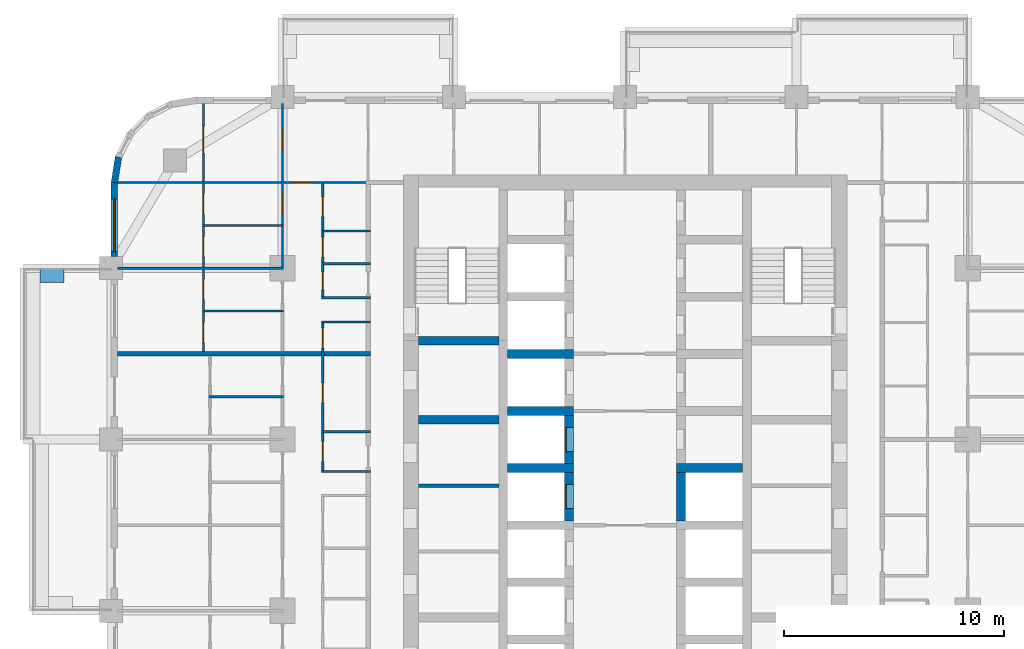
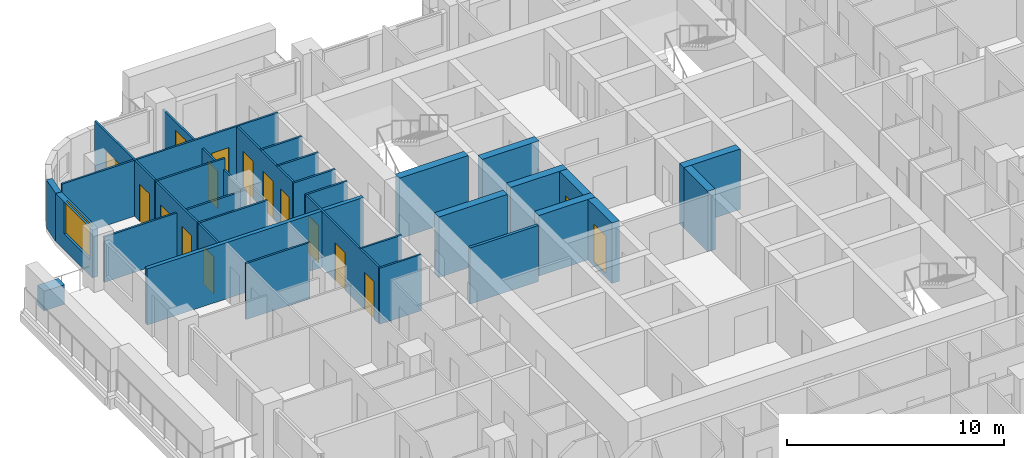
# One storey, part 10 of 18: 29 walls, 16 doors, 1 window, 17 openings.
"""IFC4 building model written with IfcOpenShell, lengths in metres."""

from ifc_helpers import new_model, si_unit, direction, frame, frame_2d, origin, place, context, subcontext, project, spatial, rectangle, extrude, material, layer, layer_set, type_object, element, fill, save


model = new_model("IFC4")

# Units and contexts
model_context = context("Model", 3, precision=1e-05, world=origin(), true_north=direction((0.0, 1.0)))
body_context = subcontext(model_context, "Body", "Model", "MODEL_VIEW")
ifc_project = project(units=[si_unit("LENGTHUNIT", "METRE"), si_unit("AREAUNIT", "SQUARE_METRE"), si_unit("VOLUMEUNIT", "CUBIC_METRE"), si_unit("PLANEANGLEUNIT", "RADIAN"), si_unit("MASSUNIT", "GRAM", prefix="KILO")], contexts=[model_context])

# Site, building, storey
site_placement = place(None, origin())
site = spatial("IfcSite", under=ifc_project, at=site_placement, CompositionType="ELEMENT")
building_placement = place(site_placement, origin())
building = spatial("IfcBuilding", under=site, at=building_placement, Name="Ludao Terraces", CompositionType="ELEMENT")
storey_placement = place(building_placement, frame((0.0, 0.0, 29.699951171875)))
storey = spatial("IfcBuildingStorey", under=building, at=storey_placement, Name="L07", CompositionType="ELEMENT", Elevation=29.699951171875)

# Wall
ifc_material_1 = material(Name="Concrete C40", Category="concrete")
ifc_layer_1 = layer(ifc_material_1, 0.60009765625)
ifc_layer_set_1 = layer_set([ifc_layer_1], Name="ENV Planter trough 600")
wall_type_1 = type_object("IfcWallType", Name="ENV Planter trough 600", PredefinedType="USERDEFINED", material=ifc_layer_set_1)
wall_1_placement = place(storey_placement, frame((58.35009765625, 80.25, 0.0), z_axis=(0.0, 0.0, 1.0), x_axis=(1.0, 0.0, 0.0)))
element("IfcWall", 1, at=wall_1_placement, inside=storey, type_object=wall_type_1, Name="PL-L07-W4-SB", ObjectType="PLANTER", PredefinedType="USERDEFINED", context=body_context, shape_type="SweptSolid", body=[
    extrude(rectangle(XDim=1.099853515625, YDim=0.60009765625, at=frame_2d((0.5498046875, 0.0))), origin(), (0.0, 0.0, 1.0), 1.10009765625),
])

# Wall, opening, window
ifc_material_2 = material(Name="Granite cladding", Category="masonry")
ifc_layer_2 = layer(ifc_material_2, 0.0400390625, Category="stone")
ifc_material_3 = material(Name="Mineral wool")
ifc_layer_3 = layer(ifc_material_3, 0.06005859375)
ifc_layer_4 = layer(ifc_material_1, 0.199951171875, Category="concrete")
ifc_layer_set_2 = layer_set([ifc_layer_2, ifc_layer_3, ifc_layer_4], Name="ENV Stone-clad wall 300")
wall_type_2 = type_object("IfcWallType", Name="ENV Stone-clad wall 300", PredefinedType="SOLIDWALL", material=ifc_layer_set_2)
wall_2_placement = place(storey_placement, frame((61.75, 81.125, 0.0), z_axis=(0.0, 0.0, 1.0), x_axis=(0.0, 1.0, 0.0)))
wall_2 = element("IfcWall", 2, at=wall_2_placement, inside=storey, type_object=wall_type_2, Name="EW-L07-W6", PredefinedType="SOLIDWALL", context=body_context, shape_type="SweptSolid", body=[
    extrude(rectangle(XDim=3.375, YDim=0.300048828125, at=frame_2d((1.6875, 0.0))), origin(), (0.0, 0.0, 1.0), 2.699951171875),
])
opening_1_placement = place(wall_2_placement, frame((0.22509765625, 0.0, 0.89990234375)))
opening_1 = element("IfcOpeningElement", 3, at=opening_1_placement, cuts=wall_2, Name="Opening W1", PredefinedType="OPENING", context=body_context, shape_type="SweptSolid", body=[
    extrude(rectangle(XDim=2.39990234375, YDim=1.800048828125, at=frame_2d((1.199951171875, 0.89990234375))), frame((0.0, 0.16015625, 0.0), z_axis=(0.0, -1.0, 0.0), x_axis=(1.0, 0.0, 0.0)), (0.0, 0.0, 1.0), 0.320068359375),
])
ifc_material_4 = material(Name="Clear glass in aluminium frame", Category="aluminium")
ifc_layer_5 = layer(ifc_material_4, 0.06005859375)
ifc_layer_set_3 = layer_set([ifc_layer_5], Name="ENV Window W1 2400x1800")
window_type = type_object("IfcWindowType", Name="ENV Window W1 2400x1800", PartitioningType="DOUBLE_PANEL_VERTICAL", PredefinedType="WINDOW", material=ifc_layer_set_3)
window_placement = place(opening_1_placement, origin())
window = element("IfcWindow", 4, at=window_placement, inside=storey, type_object=window_type, Name="W-L07-W6-1", OverallHeight=1.800048828125, OverallWidth=2.39990234375, PartitioningType="DOUBLE_PANEL_VERTICAL", PredefinedType="WINDOW", context=body_context, shape_type="SweptSolid", body=[
    extrude(rectangle(XDim=2.39990234375, YDim=1.800048828125, at=frame_2d((1.199951171875, 0.89990234375))), frame((0.0, 0.030029296875, 0.0), z_axis=(0.0, -1.0, 0.0), x_axis=(1.0, 0.0, 0.0)), (0.0, 0.0, 1.0), 0.06005859375),
])
fill(opening_1, window)

# Walls
wall_3_placement = place(storey_placement, frame((61.93359375, 85.65869140625, 0.0), z_axis=(0.0, 0.0, 1.0), x_axis=(-0.156496880861, -0.987678452879, 0.0)))
element("IfcWall", 5, at=wall_3_placement, inside=storey, type_object=wall_type_2, Name="EW-L07-NW5", PredefinedType="SOLIDWALL", context=body_context, shape_type="SweptSolid", body=[
    extrude(rectangle(XDim=1.173095703125, YDim=0.300048828125, at=frame_2d((0.58642578125, 0.0))), origin(), (0.0, 0.0, 1.0), 2.699951171875),
])
ifc_material_5 = material(Name="Fire-rated gypsum plasterboard", Category="gypsum")
ifc_layer_6 = layer(ifc_material_5, 0.012451171875, Category="gypsum")
ifc_layer_7 = layer(ifc_material_3, 0.10009765625, Name="insulation")
ifc_material_6 = material(Name="Steel Q235", Category="steel")
ifc_layer_8 = layer(ifc_material_6, 0.02490234375, Name="stud")
ifc_layer_9 = layer(ifc_material_5, 0.012451171875, Category="gypsum")
ifc_layer_set_4 = layer_set([ifc_layer_6, ifc_layer_7, ifc_layer_8, ifc_layer_9], Name="INT Core partition 150")
wall_type_3 = type_object("IfcWallType", Name="INT Core partition 150", PredefinedType="PARTITIONING", material=ifc_layer_set_4)
wall_4_placement = place(storey_placement, frame((75.60009765625, 70.699951171875, 0.0), z_axis=(0.0, 0.0, 1.0), x_axis=(1.0, 0.0, 0.0)))
element("IfcWall", 6, at=wall_4_placement, inside=storey, type_object=wall_type_3, Name="PW-L07-PW051", PredefinedType="PARTITIONING", context=body_context, shape_type="SweptSolid", body=[
    extrude(rectangle(XDim=3.64990234375, YDim=0.14990234375, at=frame_2d((1.824951171875, 0.0))), origin(), (0.0, 0.0, 1.0), 3.150146484375),
])
ifc_material_7 = material(Name="Gypsum plasterboard", Category="gypsum")
ifc_layer_10 = layer(ifc_material_7, 0.012451171875, Category="gypsum")
ifc_layer_11 = layer(ifc_material_3, 0.06005859375, Name="insulation")
ifc_layer_12 = layer(ifc_material_6, 0.014892578125, Name="stud")
ifc_layer_13 = layer(ifc_material_7, 0.012451171875, Category="gypsum")
ifc_layer_set_5 = layer_set([ifc_layer_10, ifc_layer_11, ifc_layer_12, ifc_layer_13], Name="INT Partition 100")
wall_type_4 = type_object("IfcWallType", Name="INT Partition 100", PredefinedType="PARTITIONING", material=ifc_layer_set_5)
for number, where, z_axis, x_axis, name in (
    (7, (71.18017578125, 71.35009765625, 0.0), (0.0, 0.0, 1.0), (1.0, 0.0, 0.0), "PW-L07-PW054"),
    (8, (71.18017578125, 73.14990234375, 0.0), (0.0, 0.0, 1.0), (1.0, 0.0, 0.0), "PW-L07-PW057"),
):
    element("IfcWall", number, at=place(storey_placement, frame(where, z_axis=z_axis, x_axis=x_axis)), inside=storey, type_object=wall_type_4, Name=name, PredefinedType="PARTITIONING", context=body_context, shape_type="SweptSolid", body=[
        extrude(rectangle(XDim=2.219970703125, YDim=0.10009765625, at=frame_2d((1.10986328125, 0.0))), origin(), (0.0, 0.0, 1.0), 3.150146484375),
    ])
wall_5_placement = place(storey_placement, frame((66.050048828125, 74.75, 0.0), z_axis=(0.0, 0.0, 1.0), x_axis=(1.0, 0.0, 0.0)))
element("IfcWall", 9, at=wall_5_placement, inside=storey, type_object=wall_type_4, Name="PW-L07-PW059", PredefinedType="PARTITIONING", context=body_context, shape_type="SweptSolid", body=[
    extrude(rectangle(XDim=3.400146484375, YDim=0.10009765625, at=frame_2d((1.7001953125, 0.0))), origin(), (0.0, 0.0, 1.0), 3.150146484375),
])
wall_6_placement = place(storey_placement, frame((71.18017578125, 78.14990234375, 0.0), z_axis=(0.0, 0.0, 1.0), x_axis=(1.0, 0.0, 0.0)))
element("IfcWall", 10, at=wall_6_placement, inside=storey, type_object=wall_type_4, Name="PW-L07-PW066", PredefinedType="PARTITIONING", context=body_context, shape_type="SweptSolid", body=[
    extrude(rectangle(XDim=2.219970703125, YDim=0.10009765625, at=frame_2d((1.10986328125, 0.0))), origin(), (0.0, 0.0, 1.0), 3.150146484375),
])
wall_7_placement = place(storey_placement, frame((65.75, 78.64990234375, 0.0), z_axis=(0.0, 0.0, 1.0), x_axis=(1.0, 0.0, 0.0)))
element("IfcWall", 11, at=wall_7_placement, inside=storey, type_object=wall_type_4, Name="PW-L07-PW067", PredefinedType="PARTITIONING", context=body_context, shape_type="SweptSolid", body=[
    extrude(rectangle(XDim=3.7001953125, YDim=0.10009765625, at=frame_2d((1.85009765625, 0.0))), origin(), (0.0, 0.0, 1.0), 3.150146484375),
])
wall_8_placement = place(storey_placement, frame((71.18017578125, 79.25, 0.0), z_axis=(0.0, 0.0, 1.0), x_axis=(1.0, 0.0, 0.0)))
element("IfcWall", 12, at=wall_8_placement, inside=storey, type_object=wall_type_4, Name="PW-L07-PW069", PredefinedType="PARTITIONING", context=body_context, shape_type="SweptSolid", body=[
    extrude(rectangle(XDim=2.219970703125, YDim=0.10009765625, at=frame_2d((1.10986328125, 0.0))), origin(), (0.0, 0.0, 1.0), 3.150146484375),
])
wall_9_placement = place(storey_placement, frame((61.900146484375, 80.60009765625, 0.0), z_axis=(0.0, 0.0, 1.0), x_axis=(1.0, 0.0, 0.0)))
element("IfcWall", 13, at=wall_9_placement, inside=storey, type_object=wall_type_4, Name="PW-L07-PW070", PredefinedType="PARTITIONING", context=body_context, shape_type="SweptSolid", body=[
    extrude(rectangle(XDim=7.550048828125, YDim=0.10009765625, at=frame_2d((3.77490234375, 0.0))), origin(), (0.0, 0.0, 1.0), 2.550048828125),
])
for number, where, z_axis, x_axis, name in (
    (14, (71.18017578125, 80.800048828125, 0.0), (0.0, 0.0, 1.0), (1.0, 0.0, 0.0), "PW-L07-PW072"),
    (15, (71.18017578125, 82.300048828125, 0.0), (0.0, 0.0, 1.0), (1.0, 0.0, 0.0), "PW-L07-PW074"),
):
    element("IfcWall", number, at=place(storey_placement, frame(where, z_axis=z_axis, x_axis=x_axis)), inside=storey, type_object=wall_type_4, Name=name, PredefinedType="PARTITIONING", context=body_context, shape_type="SweptSolid", body=[
        extrude(rectangle(XDim=2.219970703125, YDim=0.10009765625, at=frame_2d((1.10986328125, 0.0))), origin(), (0.0, 0.0, 1.0), 3.150146484375),
    ])
wall_10_placement = place(storey_placement, frame((65.75, 82.550048828125, 0.0), z_axis=(0.0, 0.0, 1.0), x_axis=(1.0, 0.0, 0.0)))
element("IfcWall", 16, at=wall_10_placement, inside=storey, type_object=wall_type_4, Name="PW-L07-PW075", PredefinedType="PARTITIONING", context=body_context, shape_type="SweptSolid", body=[
    extrude(rectangle(XDim=3.7001953125, YDim=0.10009765625, at=frame_2d((1.85009765625, 0.0))), origin(), (0.0, 0.0, 1.0), 3.150146484375),
])

# Wall, opening, door
wall_11_placement = place(storey_placement, frame((61.900146484375, 84.5, 0.0), z_axis=(0.0, 0.0, 1.0), x_axis=(1.0, 0.0, 0.0)))
wall_11 = element("IfcWall", 17, at=wall_11_placement, inside=storey, type_object=wall_type_4, Name="PW-L07-PW077", PredefinedType="PARTITIONING", context=body_context, shape_type="SweptSolid", body=[
    extrude(rectangle(XDim=11.5, YDim=0.10009765625, at=frame_2d((5.75, 0.0))), origin(), (0.0, 0.0, 1.0), 3.150146484375),
])
opening_2_placement = place(wall_11_placement, frame((7.965087890625, 0.0, 0.0)))
opening_2 = element("IfcOpeningElement", 18, at=opening_2_placement, cuts=wall_11, Name="Opening R02-155", PredefinedType="OPENING", context=body_context, shape_type="SweptSolid", body=[
    extrude(rectangle(XDim=0.89990234375, YDim=2.10009765625, at=frame_2d((0.449951171875, 1.050048828125))), frame((0.0, 0.06005859375, 0.0), z_axis=(0.0, -1.0, 0.0), x_axis=(1.0, 0.0, 0.0)), (0.0, 0.0, 1.0), 0.1201171875),
])
ifc_material_8 = material(Name="Timber door leaf", Category="wood")
door_type_1 = type_object("IfcDoorType", Name="INT Room door 900", OperationType="SINGLE_SWING_LEFT", PredefinedType="DOOR", material=ifc_material_8)
door_1_placement = place(opening_2_placement, origin())
door_1 = element("IfcDoor", 19, at=door_1_placement, inside=storey, type_object=door_type_1, Name="DOOR 155", OperationType="SINGLE_SWING_RIGHT", OverallHeight=2.10009765625, OverallWidth=0.89990234375, PredefinedType="DOOR", context=body_context, shape_type="SweptSolid", body=[
    extrude(rectangle(XDim=0.89990234375, YDim=2.10009765625, at=frame_2d((0.449951171875, 1.050048828125))), frame((0.0, 0.02490234375, 0.0), z_axis=(0.0, -1.0, 0.0), x_axis=(1.0, 0.0, 0.0)), (0.0, 0.0, 1.0), 0.050048828125),
])
fill(opening_2, door_1)

# Wall, openings, doors
wall_12_placement = place(storey_placement, frame((65.800048828125, 76.800048828125, 0.0), z_axis=(0.0, 0.0, 1.0), x_axis=(0.0, 1.0, 0.0)))
wall_12 = element("IfcWall", 20, at=wall_12_placement, inside=storey, type_object=wall_type_4, Name="PW-L07-PW081", PredefinedType="PARTITIONING", context=body_context, shape_type="SweptSolid", body=[
    extrude(rectangle(XDim=11.300048828125, YDim=0.10009765625, at=frame_2d((5.64990234375, 0.0))), origin(), (0.0, 0.0, 1.0), 3.150146484375),
])
opening_3_placement = place(wall_12_placement, frame((0.425048828125, 0.0, 0.0)))
opening_3 = element("IfcOpeningElement", 21, at=opening_3_placement, cuts=wall_12, Name="Opening R02-129", PredefinedType="OPENING", context=body_context, shape_type="SweptSolid", body=[
    extrude(rectangle(XDim=0.89990234375, YDim=2.10009765625, at=frame_2d((0.449951171875, 1.050048828125))), frame((0.0, 0.06005859375, 0.0), z_axis=(0.0, -1.0, 0.0), x_axis=(1.0, 0.0, 0.0)), (0.0, 0.0, 1.0), 0.1201171875),
])
opening_4_placement = place(wall_12_placement, frame((2.375, 0.0, 0.0)))
opening_4 = element("IfcOpeningElement", 22, at=opening_4_placement, cuts=wall_12, Name="Opening R02-137", PredefinedType="OPENING", context=body_context, shape_type="SweptSolid", body=[
    extrude(rectangle(XDim=0.89990234375, YDim=2.10009765625, at=frame_2d((0.449951171875, 1.050048828125))), frame((0.0, 0.06005859375, 0.0), z_axis=(0.0, -1.0, 0.0), x_axis=(1.0, 0.0, 0.0)), (0.0, 0.0, 1.0), 0.1201171875),
])
opening_5_placement = place(wall_12_placement, frame((4.324951171875, 0.0, 0.0)))
opening_5 = element("IfcOpeningElement", 23, at=opening_5_placement, cuts=wall_12, Name="Opening R02-145", PredefinedType="OPENING", context=body_context, shape_type="SweptSolid", body=[
    extrude(rectangle(XDim=0.89990234375, YDim=2.10009765625, at=frame_2d((0.449951171875, 1.050048828125))), frame((0.0, 0.06005859375, 0.0), z_axis=(0.0, -1.0, 0.0), x_axis=(1.0, 0.0, 0.0)), (0.0, 0.0, 1.0), 0.1201171875),
])
opening_6_placement = place(wall_12_placement, frame((6.27490234375, 0.0, 0.0)))
opening_6 = element("IfcOpeningElement", 24, at=opening_6_placement, cuts=wall_12, Name="Opening R02-152", PredefinedType="OPENING", context=body_context, shape_type="SweptSolid", body=[
    extrude(rectangle(XDim=0.89990234375, YDim=2.10009765625, at=frame_2d((0.449951171875, 1.050048828125))), frame((0.0, 0.06005859375, 0.0), z_axis=(0.0, -1.0, 0.0), x_axis=(1.0, 0.0, 0.0)), (0.0, 0.0, 1.0), 0.1201171875),
])
opening_7_placement = place(wall_12_placement, frame((9.050048828125, 0.0, 0.0)))
opening_7 = element("IfcOpeningElement", 25, at=opening_7_placement, cuts=wall_12, Name="Opening R02-157", PredefinedType="OPENING", context=body_context, shape_type="SweptSolid", body=[
    extrude(rectangle(XDim=1.199951171875, YDim=2.10009765625, at=frame_2d((0.60009765625, 1.050048828125))), frame((0.0, 0.06005859375, 0.0), z_axis=(0.0, -1.0, 0.0), x_axis=(1.0, 0.0, 0.0)), (0.0, 0.0, 1.0), 0.1201171875),
])
door_type_2 = type_object("IfcDoorType", Name="INT Bathroom door 900", OperationType="SINGLE_SWING_LEFT", PredefinedType="DOOR", material=ifc_material_8)
door_2_placement = place(opening_3_placement, origin())
door_2 = element("IfcDoor", 26, at=door_2_placement, inside=storey, type_object=door_type_2, Name="DOOR 129", OperationType="SINGLE_SWING_RIGHT", OverallHeight=2.10009765625, OverallWidth=0.89990234375, PredefinedType="DOOR", context=body_context, shape_type="SweptSolid", body=[
    extrude(rectangle(XDim=0.89990234375, YDim=2.10009765625, at=frame_2d((0.449951171875, 1.050048828125))), frame((0.0, 0.02490234375, 0.0), z_axis=(0.0, -1.0, 0.0), x_axis=(1.0, 0.0, 0.0)), (0.0, 0.0, 1.0), 0.050048828125),
])
fill(opening_3, door_2)
door_3_placement = place(opening_5_placement, origin())
door_3 = element("IfcDoor", 27, at=door_3_placement, inside=storey, type_object=door_type_2, Name="DOOR 145", OperationType="SINGLE_SWING_RIGHT", OverallHeight=2.10009765625, OverallWidth=0.89990234375, PredefinedType="DOOR", context=body_context, shape_type="SweptSolid", body=[
    extrude(rectangle(XDim=0.89990234375, YDim=2.10009765625, at=frame_2d((0.449951171875, 1.050048828125))), frame((0.0, 0.02490234375, 0.0), z_axis=(0.0, -1.0, 0.0), x_axis=(1.0, 0.0, 0.0)), (0.0, 0.0, 1.0), 0.050048828125),
])
fill(opening_5, door_3)
door_type_3 = type_object("IfcDoorType", Name="INT Double door 1200", OperationType="DOUBLE_DOOR_SINGLE_SWING", PredefinedType="DOOR", material=ifc_material_8)
door_4_placement = place(opening_7_placement, origin())
door_4 = element("IfcDoor", 28, at=door_4_placement, inside=storey, type_object=door_type_3, Name="DOOR 157", OperationType="DOUBLE_DOOR_SINGLE_SWING", OverallHeight=2.10009765625, OverallWidth=1.199951171875, PredefinedType="DOOR", context=body_context, shape_type="SweptSolid", body=[
    extrude(rectangle(XDim=1.199951171875, YDim=2.10009765625, at=frame_2d((0.60009765625, 1.050048828125))), frame((0.0, 0.02490234375, 0.0), z_axis=(0.0, -1.0, 0.0), x_axis=(1.0, 0.0, 0.0)), (0.0, 0.0, 1.0), 0.050048828125),
])
fill(opening_7, door_4)
door_5_placement = place(opening_4_placement, origin())
door_5 = element("IfcDoor", 29, at=door_5_placement, inside=storey, type_object=door_type_1, Name="DOOR 137", OperationType="SINGLE_SWING_RIGHT", OverallHeight=2.10009765625, OverallWidth=0.89990234375, PredefinedType="DOOR", context=body_context, shape_type="SweptSolid", body=[
    extrude(rectangle(XDim=0.89990234375, YDim=2.10009765625, at=frame_2d((0.449951171875, 1.050048828125))), frame((0.0, 0.02490234375, 0.0), z_axis=(0.0, -1.0, 0.0), x_axis=(1.0, 0.0, 0.0)), (0.0, 0.0, 1.0), 0.050048828125),
])
fill(opening_4, door_5)
door_6_placement = place(opening_6_placement, origin())
door_6 = element("IfcDoor", 30, at=door_6_placement, inside=storey, type_object=door_type_1, Name="DOOR 152", OperationType="SINGLE_SWING_RIGHT", OverallHeight=2.10009765625, OverallWidth=0.89990234375, PredefinedType="DOOR", context=body_context, shape_type="SweptSolid", body=[
    extrude(rectangle(XDim=0.89990234375, YDim=2.10009765625, at=frame_2d((0.449951171875, 1.050048828125))), frame((0.0, 0.02490234375, 0.0), z_axis=(0.0, -1.0, 0.0), x_axis=(1.0, 0.0, 0.0)), (0.0, 0.0, 1.0), 0.050048828125),
])
fill(opening_6, door_6)

wall_13_placement = place(storey_placement, frame((69.39990234375, 80.60009765625, 0.0), z_axis=(0.0, 0.0, 1.0), x_axis=(0.0, 1.0, 0.0)))
wall_13 = element("IfcWall", 31, at=wall_13_placement, inside=storey, type_object=wall_type_4, Name="PW-L07-PW083-3", PredefinedType="PARTITIONING", context=body_context, shape_type="SweptSolid", body=[
    extrude(rectangle(XDim=7.5, YDim=0.10009765625, at=frame_2d((3.75, 0.0))), origin(), (0.0, 0.0, 1.0), 2.550048828125),
])
opening_8_placement = place(wall_13_placement, frame((2.47509765625, 0.0, 0.0)))
opening_8 = element("IfcOpeningElement", 32, at=opening_8_placement, cuts=wall_13, Name="Opening R02-153", PredefinedType="OPENING", context=body_context, shape_type="SweptSolid", body=[
    extrude(rectangle(XDim=0.89990234375, YDim=2.10009765625, at=frame_2d((0.449951171875, 1.050048828125))), frame((0.0, 0.06005859375, 0.0), z_axis=(0.0, -1.0, 0.0), x_axis=(1.0, 0.0, 0.0)), (0.0, 0.0, 1.0), 0.1201171875),
])
opening_9_placement = place(wall_13_placement, frame((5.39990234375, 0.0, 0.0)))
opening_9 = element("IfcOpeningElement", 33, at=opening_9_placement, cuts=wall_13, Name="Opening R02-158", PredefinedType="OPENING", context=body_context, shape_type="SweptSolid", body=[
    extrude(rectangle(XDim=0.89990234375, YDim=2.10009765625, at=frame_2d((0.449951171875, 1.050048828125))), frame((0.0, 0.06005859375, 0.0), z_axis=(0.0, -1.0, 0.0), x_axis=(1.0, 0.0, 0.0)), (0.0, 0.0, 1.0), 0.1201171875),
])
door_7_placement = place(opening_8_placement, origin())
door_7 = element("IfcDoor", 34, at=door_7_placement, inside=storey, type_object=door_type_1, Name="DOOR 153", OperationType="SINGLE_SWING_LEFT", OverallHeight=2.10009765625, OverallWidth=0.89990234375, PredefinedType="DOOR", context=body_context, shape_type="SweptSolid", body=[
    extrude(rectangle(XDim=0.89990234375, YDim=2.10009765625, at=frame_2d((0.449951171875, 1.050048828125))), frame((0.0, 0.02490234375, 0.0), z_axis=(0.0, -1.0, 0.0), x_axis=(1.0, 0.0, 0.0)), (0.0, 0.0, 1.0), 0.050048828125),
])
fill(opening_8, door_7)
door_8_placement = place(opening_9_placement, origin())
door_8 = element("IfcDoor", 35, at=door_8_placement, inside=storey, type_object=door_type_1, Name="DOOR 158", OperationType="SINGLE_SWING_RIGHT", OverallHeight=2.10009765625, OverallWidth=0.89990234375, PredefinedType="DOOR", context=body_context, shape_type="SweptSolid", body=[
    extrude(rectangle(XDim=0.89990234375, YDim=2.10009765625, at=frame_2d((0.449951171875, 1.050048828125))), frame((0.0, 0.02490234375, 0.0), z_axis=(0.0, -1.0, 0.0), x_axis=(1.0, 0.0, 0.0)), (0.0, 0.0, 1.0), 0.050048828125),
])
fill(opening_9, door_8)

wall_14_placement = place(storey_placement, frame((71.22998046875, 71.400146484375, 0.0), z_axis=(0.0, 0.0, 1.0), x_axis=(0.0, 1.0, 0.0)))
wall_14 = element("IfcWall", 36, at=wall_14_placement, inside=storey, type_object=wall_type_4, Name="PW-L07-PW086", PredefinedType="PARTITIONING", context=body_context, shape_type="SweptSolid", body=[
    extrude(rectangle(XDim=6.699951171875, YDim=0.10009765625, at=frame_2d((3.35009765625, 0.0))), origin(), (0.0, 0.0, 1.0), 3.150146484375),
])
opening_10_placement = place(wall_14_placement, frame((0.39990234375, 0.0, 0.0)))
opening_10 = element("IfcOpeningElement", 37, at=opening_10_placement, cuts=wall_14, Name="Opening R02-110", PredefinedType="OPENING", context=body_context, shape_type="SweptSolid", body=[
    extrude(rectangle(XDim=0.89990234375, YDim=2.10009765625, at=frame_2d((0.449951171875, 1.050048828125))), frame((0.0, 0.06005859375, 0.0), z_axis=(0.0, -1.0, 0.0), x_axis=(1.0, 0.0, 0.0)), (0.0, 0.0, 1.0), 0.1201171875),
])
opening_11_placement = place(wall_14_placement, frame((3.074951171875, 0.0, 0.0)))
opening_11 = element("IfcOpeningElement", 38, at=opening_11_placement, cuts=wall_14, Name="Opening R02-117", PredefinedType="OPENING", context=body_context, shape_type="SweptSolid", body=[
    extrude(rectangle(XDim=0.89990234375, YDim=2.10009765625, at=frame_2d((0.449951171875, 1.050048828125))), frame((0.0, 0.06005859375, 0.0), z_axis=(0.0, -1.0, 0.0), x_axis=(1.0, 0.0, 0.0)), (0.0, 0.0, 1.0), 0.1201171875),
])
opening_12_placement = place(wall_14_placement, frame((5.574951171875, 0.0, 0.0)))
opening_12 = element("IfcOpeningElement", 39, at=opening_12_placement, cuts=wall_14, Name="Opening R02-128", PredefinedType="OPENING", context=body_context, shape_type="SweptSolid", body=[
    extrude(rectangle(XDim=0.89990234375, YDim=2.10009765625, at=frame_2d((0.449951171875, 1.050048828125))), frame((0.0, 0.06005859375, 0.0), z_axis=(0.0, -1.0, 0.0), x_axis=(1.0, 0.0, 0.0)), (0.0, 0.0, 1.0), 0.1201171875),
])
door_9_placement = place(opening_10_placement, origin())
door_9 = element("IfcDoor", 40, at=door_9_placement, inside=storey, type_object=door_type_2, Name="DOOR 110", OperationType="SINGLE_SWING_RIGHT", OverallHeight=2.10009765625, OverallWidth=0.89990234375, PredefinedType="DOOR", context=body_context, shape_type="SweptSolid", body=[
    extrude(rectangle(XDim=0.89990234375, YDim=2.10009765625, at=frame_2d((0.449951171875, 1.050048828125))), frame((0.0, 0.02490234375, 0.0), z_axis=(0.0, -1.0, 0.0), x_axis=(1.0, 0.0, 0.0)), (0.0, 0.0, 1.0), 0.050048828125),
])
fill(opening_10, door_9)
door_10_placement = place(opening_12_placement, origin())
door_10 = element("IfcDoor", 41, at=door_10_placement, inside=storey, type_object=door_type_2, Name="DOOR 128", OperationType="SINGLE_SWING_RIGHT", OverallHeight=2.10009765625, OverallWidth=0.89990234375, PredefinedType="DOOR", context=body_context, shape_type="SweptSolid", body=[
    extrude(rectangle(XDim=0.89990234375, YDim=2.10009765625, at=frame_2d((0.449951171875, 1.050048828125))), frame((0.0, 0.02490234375, 0.0), z_axis=(0.0, -1.0, 0.0), x_axis=(1.0, 0.0, 0.0)), (0.0, 0.0, 1.0), 0.050048828125),
])
fill(opening_12, door_10)
door_11_placement = place(opening_11_placement, origin())
door_11 = element("IfcDoor", 42, at=door_11_placement, inside=storey, type_object=door_type_1, Name="DOOR 117", OperationType="SINGLE_SWING_RIGHT", OverallHeight=2.10009765625, OverallWidth=0.89990234375, PredefinedType="DOOR", context=body_context, shape_type="SweptSolid", body=[
    extrude(rectangle(XDim=0.89990234375, YDim=2.10009765625, at=frame_2d((0.449951171875, 1.050048828125))), frame((0.0, 0.02490234375, 0.0), z_axis=(0.0, -1.0, 0.0), x_axis=(1.0, 0.0, 0.0)), (0.0, 0.0, 1.0), 0.050048828125),
])
fill(opening_11, door_11)

wall_15_placement = place(storey_placement, frame((71.22998046875, 79.300048828125, 0.0), z_axis=(0.0, 0.0, 1.0), x_axis=(0.0, 1.0, 0.0)))
wall_15 = element("IfcWall", 43, at=wall_15_placement, inside=storey, type_object=wall_type_4, Name="PW-L07-PW087", PredefinedType="PARTITIONING", context=body_context, shape_type="SweptSolid", body=[
    extrude(rectangle(XDim=5.150146484375, YDim=0.10009765625, at=frame_2d((2.5751953125, 0.0))), origin(), (0.0, 0.0, 1.0), 3.150146484375),
])
opening_13_placement = place(wall_15_placement, frame((0.324951171875, 0.0, 0.0)))
opening_13 = element("IfcOpeningElement", 44, at=opening_13_placement, cuts=wall_15, Name="Opening R02-141", PredefinedType="OPENING", context=body_context, shape_type="SweptSolid", body=[
    extrude(rectangle(XDim=0.800048828125, YDim=2.10009765625, at=frame_2d((0.39990234375, 1.050048828125))), frame((0.0, 0.06005859375, 0.0), z_axis=(0.0, -1.0, 0.0), x_axis=(1.0, 0.0, 0.0)), (0.0, 0.0, 1.0), 0.1201171875),
])
opening_14_placement = place(wall_15_placement, frame((1.800048828125, 0.0, 0.0)))
opening_14 = element("IfcOpeningElement", 45, at=opening_14_placement, cuts=wall_15, Name="Opening R02-144", PredefinedType="OPENING", context=body_context, shape_type="SweptSolid", body=[
    extrude(rectangle(XDim=0.89990234375, YDim=2.10009765625, at=frame_2d((0.449951171875, 1.050048828125))), frame((0.0, 0.06005859375, 0.0), z_axis=(0.0, -1.0, 0.0), x_axis=(1.0, 0.0, 0.0)), (0.0, 0.0, 1.0), 0.1201171875),
])
opening_15_placement = place(wall_15_placement, frame((3.64990234375, 0.0, 0.0)))
opening_15 = element("IfcOpeningElement", 46, at=opening_15_placement, cuts=wall_15, Name="Opening R02-150", PredefinedType="OPENING", context=body_context, shape_type="SweptSolid", body=[
    extrude(rectangle(XDim=0.89990234375, YDim=2.10009765625, at=frame_2d((0.449951171875, 1.050048828125))), frame((0.0, 0.06005859375, 0.0), z_axis=(0.0, -1.0, 0.0), x_axis=(1.0, 0.0, 0.0)), (0.0, 0.0, 1.0), 0.1201171875),
])
door_12_placement = place(opening_14_placement, origin())
door_12 = element("IfcDoor", 47, at=door_12_placement, inside=storey, type_object=door_type_2, Name="DOOR 144", OperationType="SINGLE_SWING_RIGHT", OverallHeight=2.10009765625, OverallWidth=0.89990234375, PredefinedType="DOOR", context=body_context, shape_type="SweptSolid", body=[
    extrude(rectangle(XDim=0.89990234375, YDim=2.10009765625, at=frame_2d((0.449951171875, 1.050048828125))), frame((0.0, 0.02490234375, 0.0), z_axis=(0.0, -1.0, 0.0), x_axis=(1.0, 0.0, 0.0)), (0.0, 0.0, 1.0), 0.050048828125),
])
fill(opening_14, door_12)
door_13_placement = place(opening_15_placement, origin())
door_13 = element("IfcDoor", 48, at=door_13_placement, inside=storey, type_object=door_type_1, Name="DOOR 150", OperationType="SINGLE_SWING_RIGHT", OverallHeight=2.10009765625, OverallWidth=0.89990234375, PredefinedType="DOOR", context=body_context, shape_type="SweptSolid", body=[
    extrude(rectangle(XDim=0.89990234375, YDim=2.10009765625, at=frame_2d((0.449951171875, 1.050048828125))), frame((0.0, 0.02490234375, 0.0), z_axis=(0.0, -1.0, 0.0), x_axis=(1.0, 0.0, 0.0)), (0.0, 0.0, 1.0), 0.050048828125),
])
fill(opening_15, door_13)
door_type_4 = type_object("IfcDoorType", Name="INT Store door 800", OperationType="SINGLE_SWING_LEFT", PredefinedType="DOOR", material=ifc_material_8)
door_14_placement = place(opening_13_placement, origin())
door_14 = element("IfcDoor", 49, at=door_14_placement, inside=storey, type_object=door_type_4, Name="DOOR 141", OperationType="SINGLE_SWING_LEFT", OverallHeight=2.10009765625, OverallWidth=0.800048828125, PredefinedType="DOOR", context=body_context, shape_type="SweptSolid", body=[
    extrude(rectangle(XDim=0.800048828125, YDim=2.10009765625, at=frame_2d((0.39990234375, 1.050048828125))), frame((0.0, 0.02490234375, 0.0), z_axis=(0.0, -1.0, 0.0), x_axis=(1.0, 0.0, 0.0)), (0.0, 0.0, 1.0), 0.050048828125),
])
fill(opening_13, door_14)

# Wall
ifc_material_9 = material(Name="Autoclaved aerated concrete block B06 A3.5", Category="concrete")
ifc_layer_14 = layer(ifc_material_9, 0.199951171875)
ifc_layer_set_6 = layer_set([ifc_layer_14], Name="INT Party wall 200")
wall_type_5 = type_object("IfcWallType", Name="INT Party wall 200", PredefinedType="PARTITIONING", material=ifc_layer_set_6)
wall_16_placement = place(storey_placement, frame((61.900146484375, 76.699951171875, 0.0), z_axis=(0.0, 0.0, 1.0), x_axis=(1.0, 0.0, 0.0)))
element("IfcWall", 50, at=wall_16_placement, inside=storey, type_object=wall_type_5, Name="PW-L07-PW062", PredefinedType="PARTITIONING", context=body_context, shape_type="SweptSolid", body=[
    extrude(rectangle(XDim=11.5, YDim=0.199951171875, at=frame_2d((5.75, 0.0))), origin(), (0.0, 0.0, 1.0), 3.150146484375),
])

# Wall, opening, door
ifc_material_10 = material(Name="Concrete C60", Category="concrete")
ifc_layer_15 = layer(ifc_material_10, 0.39990234375)
ifc_layer_set_7 = layer_set([ifc_layer_15], Name="Shaft wall 400 C60")
wall_type_6 = type_object("IfcWallType", Name="Shaft wall 400 C60", PredefinedType="SOLIDWALL", material=ifc_layer_set_7)
wall_17_placement = place(storey_placement, frame((82.449951171875, 69.10009765625, -0.25), z_axis=(0.0, 0.0, 1.0), x_axis=(0.0, 1.0, 0.0)))
wall_17 = element("IfcWall", 51, at=wall_17_placement, inside=storey, type_object=wall_type_6, Name="Core wall L07 front-W4", PredefinedType="SOLIDWALL", context=body_context, shape_type="SweptSolid", body=[
    extrude(rectangle(XDim=2.199951171875, YDim=0.39990234375, at=frame_2d((1.10009765625, 0.0))), origin(), (0.0, 0.0, 1.0), 3.400146484375),
])
opening_16_placement = place(wall_17_placement, frame((0.550048828125, 0.0, 0.25)))
opening_16 = element("IfcOpeningElement", 52, at=opening_16_placement, cuts=wall_17, Name="Opening LD-LA4", PredefinedType="OPENING", context=body_context, shape_type="SweptSolid", body=[
    extrude(rectangle(XDim=1.10009765625, YDim=2.10009765625, at=frame_2d((0.550048828125, 1.050048828125))), frame((0.0, 0.2099609375, 0.0), z_axis=(0.0, -1.0, 0.0), x_axis=(1.0, 0.0, 0.0)), (0.0, 0.0, 1.0), 0.419921875),
])
ifc_material_11 = material(Name="Stainless steel 304", Category="steel")
door_type_5 = type_object("IfcDoorType", Name="INT Lift landing door 1100", OperationType="SLIDING_TO_LEFT", PredefinedType="DOOR", material=ifc_material_11)
door_15_placement = place(opening_16_placement, origin())
door_15 = element("IfcDoor", 53, at=door_15_placement, inside=storey, type_object=door_type_5, Name="LANDING DOOR LA4 L07", OperationType="SLIDING_TO_LEFT", OverallHeight=2.10009765625, OverallWidth=1.10009765625, PredefinedType="DOOR", context=body_context, shape_type="SweptSolid", body=[
    extrude(rectangle(XDim=1.10009765625, YDim=2.10009765625, at=frame_2d((0.550048828125, 1.050048828125))), frame((0.0, 0.18505859375, 0.0), z_axis=(0.0, -1.0, 0.0), x_axis=(1.0, 0.0, 0.0)), (0.0, 0.0, 1.0), 0.050048828125),
])
fill(opening_16, door_15)

# Wall
wall_18_placement = place(storey_placement, frame((79.64990234375, 71.5, -0.25), z_axis=(0.0, 0.0, 1.0), x_axis=(1.0, 0.0, 0.0)))
element("IfcWall", 54, at=wall_18_placement, inside=storey, type_object=wall_type_6, Name="Core wall L07 div-W5", PredefinedType="SOLIDWALL", context=body_context, shape_type="SweptSolid", body=[
    extrude(rectangle(XDim=3.0, YDim=0.39990234375, at=frame_2d((1.5, 0.0))), origin(), (0.0, 0.0, 1.0), 3.400146484375),
])

# Wall, opening, door
wall_19_placement = place(storey_placement, frame((82.449951171875, 71.699951171875, -0.25), z_axis=(0.0, 0.0, 1.0), x_axis=(0.0, 1.0, 0.0)))
wall_19 = element("IfcWall", 55, at=wall_19_placement, inside=storey, type_object=wall_type_6, Name="Core wall L07 front-W5", PredefinedType="SOLIDWALL", context=body_context, shape_type="SweptSolid", body=[
    extrude(rectangle(XDim=2.199951171875, YDim=0.39990234375, at=frame_2d((1.10009765625, 0.0))), origin(), (0.0, 0.0, 1.0), 3.400146484375),
])
opening_17_placement = place(wall_19_placement, frame((0.550048828125, 0.0, 0.25)))
opening_17 = element("IfcOpeningElement", 56, at=opening_17_placement, cuts=wall_19, Name="Opening LD-LA5", PredefinedType="OPENING", context=body_context, shape_type="SweptSolid", body=[
    extrude(rectangle(XDim=1.10009765625, YDim=2.10009765625, at=frame_2d((0.550048828125, 1.050048828125))), frame((0.0, 0.2099609375, 0.0), z_axis=(0.0, -1.0, 0.0), x_axis=(1.0, 0.0, 0.0)), (0.0, 0.0, 1.0), 0.419921875),
])
door_16_placement = place(opening_17_placement, origin())
door_16 = element("IfcDoor", 57, at=door_16_placement, inside=storey, type_object=door_type_5, Name="LANDING DOOR LA5 L07", OperationType="SLIDING_TO_LEFT", OverallHeight=2.10009765625, OverallWidth=1.10009765625, PredefinedType="DOOR", context=body_context, shape_type="SweptSolid", body=[
    extrude(rectangle(XDim=1.10009765625, YDim=2.10009765625, at=frame_2d((0.550048828125, 1.050048828125))), frame((0.0, 0.18505859375, 0.0), z_axis=(0.0, -1.0, 0.0), x_axis=(1.0, 0.0, 0.0)), (0.0, 0.0, 1.0), 0.050048828125),
])
fill(opening_17, door_16)

# Walls
for number, where, z_axis, x_axis, name in (
    (58, (79.64990234375, 74.10009765625, -0.25), (0.0, 0.0, 1.0), (1.0, 0.0, 0.0), "Core wall L07 div-W6"),
    (59, (79.64990234375, 76.699951171875, -0.25), (0.0, 0.0, 1.0), (1.0, 0.0, 0.0), "Core wall L07 div-W7"),
):
    element("IfcWall", number, at=place(storey_placement, frame(where, z_axis=z_axis, x_axis=x_axis)), inside=storey, type_object=wall_type_6, Name=name, PredefinedType="SOLIDWALL", context=body_context, shape_type="SweptSolid", body=[
        extrude(rectangle(XDim=3.0, YDim=0.39990234375, at=frame_2d((1.5, 0.0))), origin(), (0.0, 0.0, 1.0), 3.400146484375),
    ])
wall_20_placement = place(storey_placement, frame((87.550048828125, 69.10009765625, -0.25), z_axis=(0.0, 0.0, 1.0), x_axis=(0.0, 1.0, 0.0)))
element("IfcWall", 60, at=wall_20_placement, inside=storey, type_object=wall_type_6, Name="Core wall L07 front-E4", PredefinedType="SOLIDWALL", context=body_context, shape_type="SweptSolid", body=[
    extrude(rectangle(XDim=2.199951171875, YDim=0.39990234375, at=frame_2d((1.10009765625, 0.0))), origin(), (0.0, 0.0, 1.0), 3.400146484375),
])
wall_21_placement = place(storey_placement, frame((87.35009765625, 71.5, -0.25), z_axis=(0.0, 0.0, 1.0), x_axis=(1.0, 0.0, 0.0)))
element("IfcWall", 61, at=wall_21_placement, inside=storey, type_object=wall_type_6, Name="Core wall L07 div-E5", PredefinedType="SOLIDWALL", context=body_context, shape_type="SweptSolid", body=[
    extrude(rectangle(XDim=3.0, YDim=0.39990234375, at=frame_2d((1.5, 0.0))), origin(), (0.0, 0.0, 1.0), 3.400146484375),
])
for number, where, z_axis, x_axis, name in (
    (62, (75.60009765625, 73.699951171875, -0.25), (0.0, 0.0, 1.0), (1.0, 0.0, 0.0), "Core wall L07 riser-b-W"),
    (63, (75.60009765625, 77.300048828125, -0.25), (0.0, 0.0, 1.0), (1.0, 0.0, 0.0), "Core wall L07 stair-W"),
):
    element("IfcWall", number, at=place(storey_placement, frame(where, z_axis=z_axis, x_axis=x_axis)), inside=storey, type_object=wall_type_6, Name=name, PredefinedType="SOLIDWALL", context=body_context, shape_type="SweptSolid", body=[
        extrude(rectangle(XDim=3.64990234375, YDim=0.39990234375, at=frame_2d((1.824951171875, 0.0))), origin(), (0.0, 0.0, 1.0), 3.400146484375),
    ])

save(model, "model.ifc")
